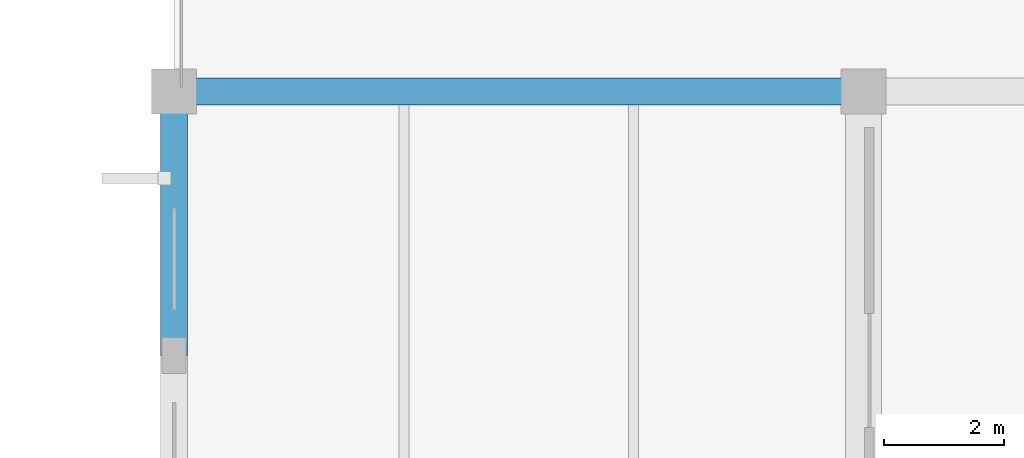
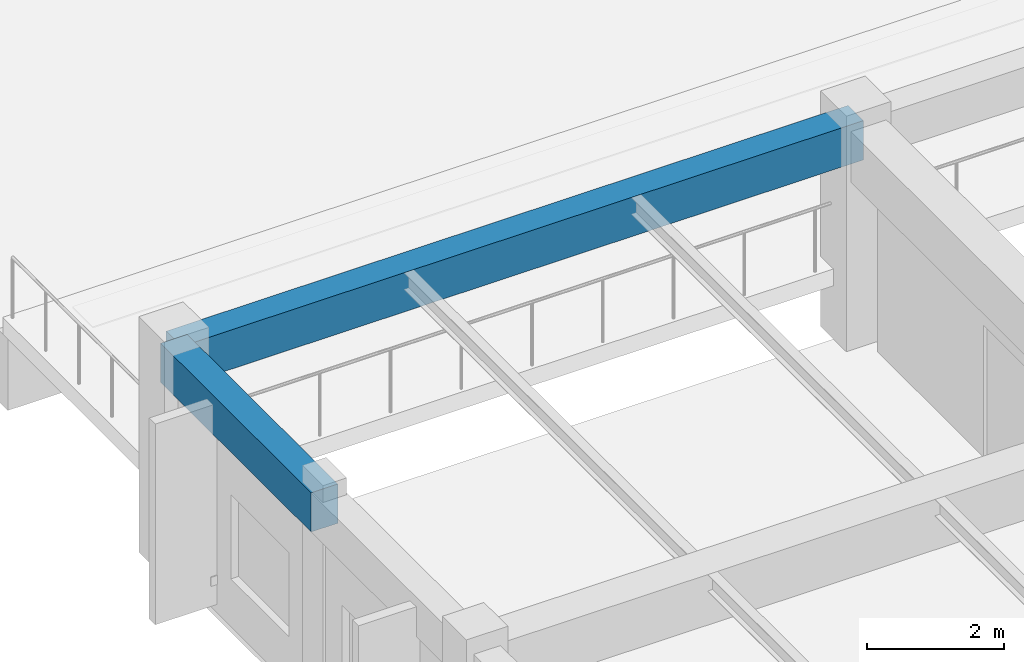
# One storey, part 5 of 109: 2 beams.
"""IFC4 building model written with IfcOpenShell, lengths in metres."""

from ifc_helpers import new_model, si_unit, direction, frame, origin, origin_2d, place, context, subcontext, project, spatial, rectangle, extrude, material, material_profile, profile_set, type_object, element, save


model = new_model("IFC4")

# Units and contexts
model_context = context("Model", 3, precision=1e-05, world=origin(), true_north=direction((0.0, 1.0)))
body_context = subcontext(model_context, "Body", "Model", "MODEL_VIEW")
ifc_project = project(units=[si_unit("LENGTHUNIT", "METRE"), si_unit("AREAUNIT", "SQUARE_METRE"), si_unit("VOLUMEUNIT", "CUBIC_METRE"), si_unit("PLANEANGLEUNIT", "RADIAN"), si_unit("MASSUNIT", "GRAM", prefix="KILO")], contexts=[model_context])

# Site, building, storey
site_placement = place(None, origin())
site = spatial("IfcSite", under=ifc_project, at=site_placement, CompositionType="ELEMENT")
building_placement = place(site_placement, origin())
building = spatial("IfcBuilding", under=site, at=building_placement, Name="Ologun Quay Terminus", CompositionType="ELEMENT")
storey_placement = place(building_placement, origin())
storey = spatial("IfcBuildingStorey", under=building, at=storey_placement, Name="L00", CompositionType="ELEMENT", Elevation=0.0)

# Beams
ifc_material = material(Name="Concrete C40/50", Category="concrete")
ifc_material_profile = material_profile(ifc_material, rectangle(XDim=0.449951171875, YDim=0.699951171875, at=origin_2d()), Name="RC 450x700")
ifc_profile_set = profile_set([ifc_material_profile], Name="Concrete C40/50")
beam_type = type_object("IfcBeamType", Name="Perimeter Spandrel Beam 450x700", PredefinedType="SPANDREL", material=ifc_profile_set)
beam_1_placement = place(storey_placement, frame((0.0, 36.0, 3.550048828125), z_axis=(1.0, 0.0, 0.0), x_axis=(0.0, 1.0, 0.0)))
element("IfcBeam", 1, at=beam_1_placement, inside=storey, type_object=beam_type, Name="SP1 Beam 1/E L00", PredefinedType="SPANDREL", context=body_context, shape_type="SweptSolid", body=[
    extrude(rectangle(XDim=0.449951171875, YDim=0.699951171875, at=origin_2d()), origin(), (0.0, 0.0, 1.0), 11.5),
])
beam_2_placement = place(storey_placement, frame((0.0, 31.60009765625, 3.550048828125), z_axis=(0.0, 1.0, 0.0), x_axis=(-1.0, 0.0, 0.0)))
element("IfcBeam", 2, at=beam_2_placement, inside=storey, type_object=beam_type, Name="SP1 Beam 1/D L00", PredefinedType="SPANDREL", context=body_context, shape_type="SweptSolid", body=[
    extrude(rectangle(XDim=0.449951171875, YDim=0.699951171875, at=origin_2d()), origin(), (0.0, 0.0, 1.0), 4.39990234375),
])

save(model, "model.ifc")
